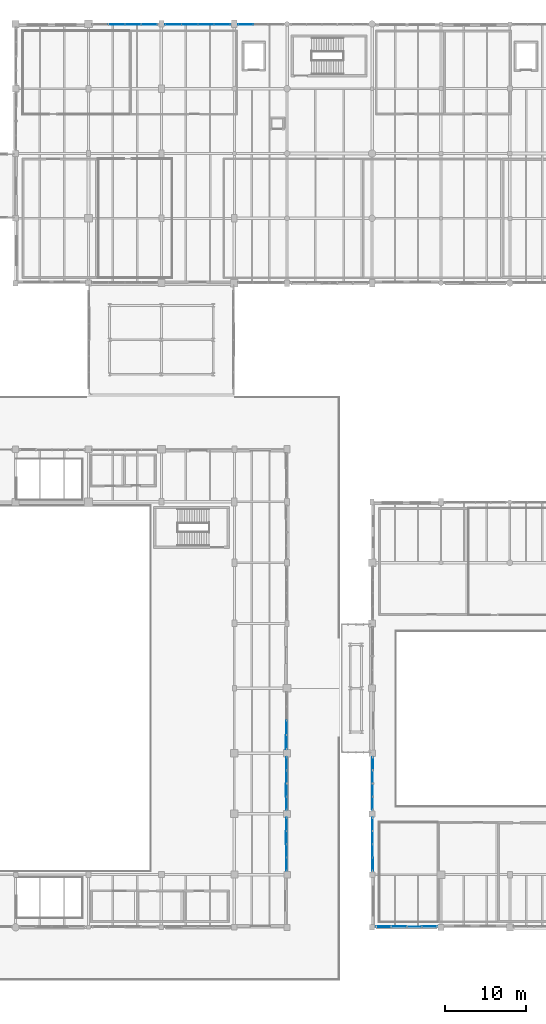
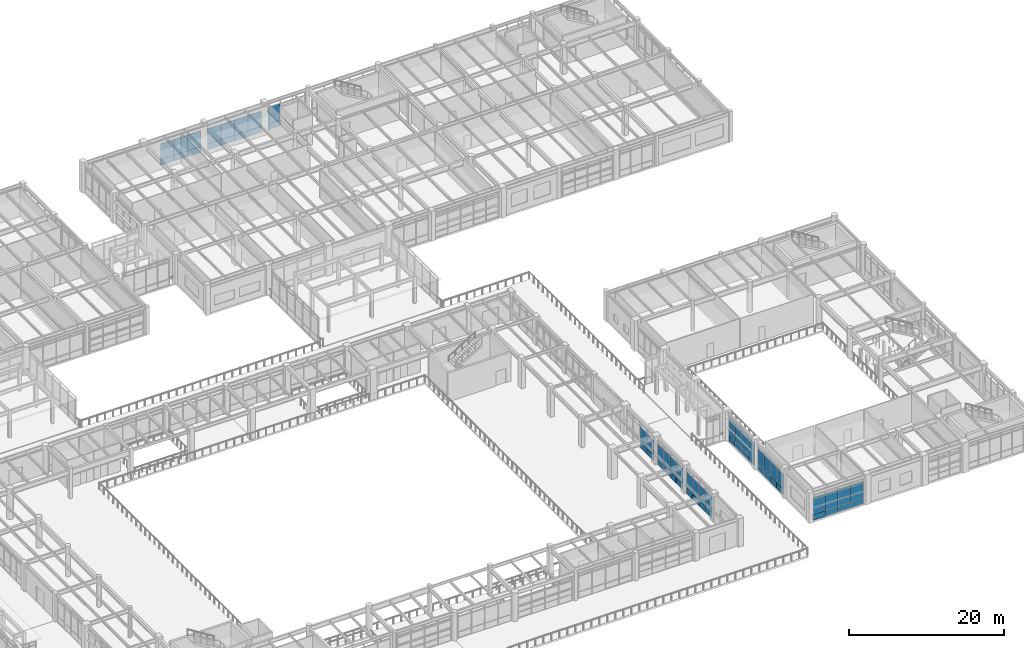
# One storey, part 163 of 200: 60 plates, 9 elements without a shape of their own.
"""IFC4 building model written with IfcOpenShell, lengths in metres."""

import ifcopenshell
import ifcopenshell.guid

model = None  # the IFC model being written
_history = None  # IfcOwnerHistory: only IFC2X3 demands one
_inside = {}  # id of a spatial element -> (the spatial element, [elements in it])
_under = {}  # id of a project, library or spatial element -> (it, [spatial elements below it])
_declared = {}  # id of a project -> (the project, [libraries it declares])
_typed = {}  # id of a type object -> (the type object, [elements of that type])
_made_of = {}  # id of a material, layer set ... -> (it, [elements and type objects made of it])


def new_model(schema):
    """Start an empty IFC model of exactly this schema.

    Asked for "IFC4X3", IfcOpenShell would pick the latest addendum, in which some entities
    have other attributes; the version numbers below select the first issue.
    IFC2X3 requires an IfcOwnerHistory on every rooted entity: one is made here for all.
    """
    global model, _history
    if schema == "IFC4X3":
        model = ifcopenshell.file(schema_version=(4, 3, 0, 0))
    else:
        model = ifcopenshell.file(schema=schema)
    _inside.clear()
    _under.clear()
    _declared.clear()
    _typed.clear()
    _made_of.clear()
    _history = None
    if model.schema == "IFC2X3":
        org = make("IfcOrganization", Name="unknown")
        user = make(
            "IfcPersonAndOrganization",
            ThePerson=make("IfcPerson", FamilyName="unknown"),
            TheOrganization=org,
        )
        app = make(
            "IfcApplication",
            ApplicationDeveloper=org,
            Version="unknown",
            ApplicationFullName="unknown",
            ApplicationIdentifier="unknown",
        )
        _history = make(
            "IfcOwnerHistory",
            OwningUser=user,
            OwningApplication=app,
            ChangeAction="ADDED",
            CreationDate=0,
        )
    return model


def make(cls, **values):
    """One entity of the class cls with the attributes given. An attribute that is None is left unset."""
    return model.create_entity(
        cls, **{name: value for name, value in values.items() if value is not None}
    )


def rooted(cls, **values):
    """An entity with a GlobalId (a new one), such as an element, a storey or a relation."""
    return make(cls, GlobalId=ifcopenshell.guid.new(), OwnerHistory=_history, **values)


def si_unit(unit_type, name, prefix=None):
    """IfcSIUnit, for example si_unit("LENGTHUNIT", "METRE", prefix="MILLI")."""
    return make("IfcSIUnit", UnitType=unit_type, Prefix=prefix, Name=name)


def assignment(units):
    """IfcUnitAssignment: the units of a project."""
    return None if units is None else make("IfcUnitAssignment", Units=units)


def point(xyz):
    """IfcCartesianPoint."""
    return None if xyz is None else make("IfcCartesianPoint", Coordinates=xyz)


def direction(xyz):
    """IfcDirection."""
    return None if xyz is None else make("IfcDirection", DirectionRatios=xyz)


def frame(location, z_axis=None, x_axis=None):
    """IfcAxis2Placement3D, a coordinate frame: its origin and axes. An axis left out is left unset."""
    return make(
        "IfcAxis2Placement3D",
        Location=point(location),
        Axis=direction(z_axis),
        RefDirection=direction(x_axis),
    )


def frame_2d(location, x_axis=None):
    """IfcAxis2Placement2D, a coordinate frame in the plane: its origin and x axis."""
    return make(
        "IfcAxis2Placement2D", Location=point(location), RefDirection=direction(x_axis)
    )


def origin():
    """The frame at (0, 0, 0) with its axes left unset."""
    return frame((0.0, 0.0, 0.0))


def origin_2d():
    """The frame at (0, 0) in the plane with its x axis left unset."""
    return frame_2d((0.0, 0.0))


def place(relative_to, where):
    """IfcLocalPlacement: puts the frame where relative to a parent placement (None: the world)."""
    return make(
        "IfcLocalPlacement", PlacementRelTo=relative_to, RelativePlacement=where
    )


def context(
    kind, dimensions, precision=None, world=None, true_north=None, identifier=None
):
    """IfcGeometricRepresentationContext, for example the 3D "Model" context."""
    return make(
        "IfcGeometricRepresentationContext",
        ContextIdentifier=identifier,
        ContextType=kind,
        CoordinateSpaceDimension=dimensions,
        Precision=precision,
        WorldCoordinateSystem=world,
        TrueNorth=true_north,
    )


def subcontext(parent, identifier, kind, view, scale=None):
    """IfcGeometricRepresentationSubContext, for example "Body" below "Model"."""
    return make(
        "IfcGeometricRepresentationSubContext",
        ContextIdentifier=identifier,
        ContextType=kind,
        ParentContext=parent,
        TargetScale=scale,
        TargetView=view,
    )


def project(units=None, contexts=None):
    """IfcProject with its units and contexts."""
    return rooted(
        "IfcProject",
        Name="project",
        RepresentationContexts=contexts,
        UnitsInContext=assignment(units),
    )


def spatial(cls, under=None, at=None, **own):
    """A site, building, storey or space (cls), placed at a placement, below another one or the project."""
    s = rooted(cls, ObjectPlacement=at, **own)
    if under is not None:
        _under.setdefault(under.id(), (under, []))[1].append(s)
    return s


def profile(cls, at=None, kind="AREA", **sizes):
    """A parametric profile (cls). Its sizes go by their IFC names, for example OverallWidth=200.0."""
    return make(cls, ProfileType=kind, Position=at, **sizes)


def rectangle(**sizes):
    """IfcRectangleProfileDef."""
    return profile("IfcRectangleProfileDef", **sizes)


def extrude(swept, where, along, depth):
    """IfcExtrudedAreaSolid: the profile swept, set in the frame where, extruded along a direction by depth."""
    return make(
        "IfcExtrudedAreaSolid",
        SweptArea=swept,
        Position=where,
        ExtrudedDirection=direction(along),
        Depth=depth,
    )


def shape(context_of_items, identifier, shape_type, items):
    """IfcShapeRepresentation: the items that make up one representation, for example the "Body"."""
    return make(
        "IfcShapeRepresentation",
        ContextOfItems=context_of_items,
        RepresentationIdentifier=identifier,
        RepresentationType=shape_type,
        Items=items,
    )


def material(Name=None, Category=None):
    """IfcMaterial."""
    return make("IfcMaterial", Name=Name, Category=Category)


def layer(
    of_material, thickness, ventilated=None, Name=None, Category=None, Priority=None
):
    """IfcMaterialLayer: one layer of a wall or slab, of a material (None: an air gap)."""
    return make(
        "IfcMaterialLayer",
        Material=of_material,
        LayerThickness=thickness,
        IsVentilated=ventilated,
        Name=Name,
        Category=Category,
        Priority=Priority,
    )


def layer_set(layers, Name=None):
    """IfcMaterialLayerSet."""
    return make("IfcMaterialLayerSet", MaterialLayers=layers, LayerSetName=Name)


def made_of(thing, what):
    """Note that an element or type object is made of a material, layer set ...; save() writes the relation."""
    if what is not None:
        _made_of.setdefault(what.id(), (what, []))[1].append(thing)
    return thing


def type_object(cls, material=None, **own):
    """A type object (cls), such as IfcWallType, which elements share."""
    return made_of(rooted(cls, **own), material)


def element(
    cls,
    number,
    at=None,
    inside=None,
    cuts=None,
    type_object=None,
    material=None,
    context=None,
    identifier="Body",
    shape_type=None,
    held_by="IfcProductDefinitionShape",
    body=None,
    shapes=None,
    **own,
):
    """One element of the class cls, such as IfcWall. Its Tag is "e" and its number.

    at: its placement. inside: the storey or other place that contains it. cuts: it is an
    opening in that element (IfcRelVoidsElement). A single representation is given by context,
    identifier, shape_type and body (its items); several are given by shapes. held_by: the class
    of the entity that holds the representations. save() writes the other relations.
    """
    e = rooted(cls, Tag="e%d" % number, ObjectPlacement=at, **own)
    if body is not None:
        shapes = [shape(context, identifier, shape_type, body)]
    if shapes is not None:
        e.Representation = make(held_by, Representations=shapes)
    if inside is not None:
        _inside.setdefault(inside.id(), (inside, []))[1].append(e)
    if cuts is not None:
        rooted(
            "IfcRelVoidsElement", RelatingBuildingElement=cuts, RelatedOpeningElement=e
        )
    if type_object is not None:
        _typed.setdefault(type_object.id(), (type_object, []))[1].append(e)
    return made_of(e, material)


def aggregate(whole, parts):
    """IfcRelAggregates: a whole, such as a stair, and the parts it consists of."""
    return rooted("IfcRelAggregates", RelatingObject=whole, RelatedObjects=parts)


def save(model, path):
    """Write the relations noted so far, then the file.

    IfcRelAggregates (storeys below a building ...), IfcRelContainedInSpatialStructure (elements
    in a storey), IfcRelDefinesByType, IfcRelAssociatesMaterial and IfcRelDeclares: one each for
    every whole, place, type object, material and project.
    """
    for whole, parts in _under.values():
        aggregate(whole, parts)
    for where, things in _inside.values():
        rooted(
            "IfcRelContainedInSpatialStructure",
            RelatedElements=things,
            RelatingStructure=where,
        )
    for kind, things in _typed.values():
        rooted("IfcRelDefinesByType", RelatedObjects=things, RelatingType=kind)
    for what, things in _made_of.values():
        rooted("IfcRelAssociatesMaterial", RelatedObjects=things, RelatingMaterial=what)
    for by, libraries in _declared.values():
        rooted("IfcRelDeclares", RelatingContext=by, RelatedDefinitions=libraries)
    model.write(path)


model = new_model("IFC4")

# Units and contexts
model_context = context("Model", 3, precision=1e-05, world=origin(), true_north=direction((0.0, 1.0)))
body_context = subcontext(model_context, "Body", "Model", "MODEL_VIEW")
ifc_project = project(units=[si_unit("LENGTHUNIT", "METRE"), si_unit("AREAUNIT", "SQUARE_METRE"), si_unit("VOLUMEUNIT", "CUBIC_METRE"), si_unit("PLANEANGLEUNIT", "RADIAN"), si_unit("MASSUNIT", "GRAM", prefix="KILO"), si_unit("THERMODYNAMICTEMPERATUREUNIT", "KELVIN"), si_unit("POWERUNIT", "WATT")], contexts=[model_context])

# Site, building, storey
site_placement = place(None, origin())
site = spatial("IfcSite", under=ifc_project, at=site_placement, CompositionType="ELEMENT")
building_placement = place(site_placement, origin())
building = spatial("IfcBuilding", under=site, at=building_placement, Name="Tepalcoro Natatorium and Aquatics Centre", CompositionType="ELEMENT")
storey_placement = place(building_placement, frame((0.0, 0.0, 5.39990234375)))
storey = spatial("IfcBuildingStorey", under=building, at=storey_placement, Name="L01", CompositionType="ELEMENT", Elevation=5.39990234375)

# Curtain wall, plate
ifc_material_1 = material(Name="Bronze-Anodised Extruded Aluminium Alloy EN AW-6063 T6", Category="aluminium")
curtain_wall_type_1 = type_object("IfcCurtainWallType", Name="CW_LEAN_T2_NS", PredefinedType="USERDEFINED", material=ifc_material_1)
curtain_wall_1_placement = place(storey_placement, origin())
curtain_wall_1 = element("IfcCurtainWall", 1, at=curtain_wall_1_placement, inside=storey, type_object=curtain_wall_type_1, Name="V1 L01 E Unitised Curtain Wall Bay 2", ObjectType="FACETED SOLAR GLAZING", PredefinedType="USERDEFINED")
ifc_material_2 = material(Name="Solar-Control Bronze Tempered Low-E Double Glazing", Category="glass")
ifc_layer_1 = layer(ifc_material_2, 0.048095703125)
ifc_layer_set_1 = layer_set([ifc_layer_1], Name="Solar-Control Bronze Tempered Low-E Double Glazing")
plate_type_1 = type_object("IfcPlateType", Name="PL_ACOUSTIC_IGU_48", PredefinedType="CURTAIN_PANEL", material=ifc_layer_set_1)
plate_1_placement = place(storey_placement, frame((131.423828125, 15.9326171875, 0.9599609375), z_axis=(0.0, 0.0, 1.0), x_axis=(1.0, 0.0, 0.0)))
plate_1 = element("IfcPlate", 2, at=plate_1_placement, type_object=plate_type_1, Name="CW_LEAN_T2_NS Insulated Glazing Unit", PredefinedType="CURTAIN_PANEL", context=body_context, shape_type="SweptSolid", body=[
    extrude(rectangle(XDim=0.048095703125, YDim=1.614990234375, at=origin_2d()), origin(), (0.0, 0.0, 1.0), 2.469970703125),
])

# Curtain wall, plates
curtain_wall_type_2 = type_object("IfcCurtainWallType", Name="CW_LEAN_T2_EW", PredefinedType="USERDEFINED", material=ifc_material_1)
curtain_wall_2_placement = place(storey_placement, origin())
curtain_wall_2 = element("IfcCurtainWall", 3, at=curtain_wall_2_placement, inside=storey, type_object=curtain_wall_type_2, Name="V1 L01 E Unitised Curtain Wall Bay 3", ObjectType="FACETED SOLAR GLAZING", PredefinedType="USERDEFINED")
plate_2_placement = place(storey_placement, frame((131.419921875, 21.797607421875, 0.9599609375), z_axis=(0.0, 0.0, 1.0), x_axis=(1.0, 0.0, 0.0)))
plate_2 = element("IfcPlate", 4, at=plate_2_placement, type_object=plate_type_1, Name="CW_LEAN_T2_EW Insulated Glazing Unit", PredefinedType="CURTAIN_PANEL", context=body_context, shape_type="SweptSolid", body=[
    extrude(rectangle(XDim=0.048095703125, YDim=1.614990234375, at=origin_2d()), origin(), (0.0, 0.0, 1.0), 2.39404296875),
])
plate_3_placement = place(storey_placement, frame((131.419921875, 26.702392578125, 0.9599609375), z_axis=(0.0, 0.0, 1.0), x_axis=(1.0, 0.0, 0.0)))
plate_3 = element("IfcPlate", 5, at=plate_3_placement, type_object=plate_type_1, Name="CW_LEAN_T2_EW Insulated Glazing Unit", PredefinedType="CURTAIN_PANEL", context=body_context, shape_type="SweptSolid", body=[
    extrude(rectangle(XDim=0.048095703125, YDim=1.614990234375, at=origin_2d()), origin(), (0.0, 0.0, 1.0), 2.39404296875),
])

curtain_wall_type_3 = type_object("IfcCurtainWallType", Name="CW_V2_DIVING", PredefinedType="USERDEFINED", material=ifc_material_1)
curtain_wall_3_placement = place(storey_placement, origin())
curtain_wall_3 = element("IfcCurtainWall", 6, at=curtain_wall_3_placement, inside=storey, type_object=curtain_wall_type_3, Name="V2 L01 S Unitised Curtain Wall Bay 1", ObjectType="FACETED SOLAR GLAZING", PredefinedType="USERDEFINED")
plate_4_placement = place(storey_placement, frame((143.422607421875, 6.576171875, 0.9599609375), z_axis=(0.0, 0.0, 1.0), x_axis=(1.0, 0.0, 0.0)))
plate_4 = element("IfcPlate", 7, at=plate_4_placement, type_object=plate_type_1, Name="CW_V2_DIVING Insulated Glazing Unit", PredefinedType="CURTAIN_PANEL", context=body_context, shape_type="SweptSolid", body=[
    extrude(rectangle(XDim=1.864990234375, YDim=0.048095703125, at=origin_2d()), origin(), (0.0, 0.0, 1.0), 2.550048828125),
])
plate_5_placement = place(storey_placement, frame((149.077392578125, 6.576171875, 0.9599609375), z_axis=(0.0, 0.0, 1.0), x_axis=(1.0, 0.0, 0.0)))
plate_5 = element("IfcPlate", 8, at=plate_5_placement, type_object=plate_type_1, Name="CW_V2_DIVING Insulated Glazing Unit", PredefinedType="CURTAIN_PANEL", context=body_context, shape_type="SweptSolid", body=[
    extrude(rectangle(XDim=1.864990234375, YDim=0.048095703125, at=origin_2d()), origin(), (0.0, 0.0, 1.0), 2.550048828125),
])

# Curtain wall, plate
curtain_wall_type_4 = type_object("IfcCurtainWallType", Name="CW_LEAN_T1_NS", PredefinedType="USERDEFINED", material=ifc_material_1)
curtain_wall_4_placement = place(storey_placement, origin())
curtain_wall_4 = element("IfcCurtainWall", 9, at=curtain_wall_4_placement, inside=storey, type_object=curtain_wall_type_4, Name="V2 L01 W Unitised Curtain Wall Bay 2", ObjectType="FACETED SOLAR GLAZING", PredefinedType="USERDEFINED")
plate_6_placement = place(storey_placement, frame((142.06494140625, 15.9326171875, 0.960205078125), z_axis=(0.0, 0.0, 1.0), x_axis=(1.0, 0.0, 0.0)))
plate_6 = element("IfcPlate", 10, at=plate_6_placement, type_object=plate_type_1, Name="CW_LEAN_T1_NS Insulated Glazing Unit", PredefinedType="CURTAIN_PANEL", context=body_context, shape_type="SweptSolid", body=[
    extrude(rectangle(XDim=0.048095703125, YDim=1.614990234375, at=origin_2d()), origin(), (0.0, 0.0, 1.0), 2.39794921875),
])

# Curtain wall, plates
curtain_wall_type_5 = type_object("IfcCurtainWallType", Name="CW_LEAN_T1_EW", PredefinedType="USERDEFINED", material=ifc_material_1)
curtain_wall_5_placement = place(storey_placement, origin())
curtain_wall_5 = element("IfcCurtainWall", 11, at=curtain_wall_5_placement, inside=storey, type_object=curtain_wall_type_5, Name="V2 L01 W Unitised Curtain Wall Bay 3", ObjectType="FACETED SOLAR GLAZING", PredefinedType="USERDEFINED")
plate_7_placement = place(storey_placement, frame((142.0712890625, 21.797607421875, 0.9599609375), z_axis=(0.0, 0.0, 1.0), x_axis=(1.0, 0.0, 0.0)))
plate_7 = element("IfcPlate", 12, at=plate_7_placement, type_object=plate_type_1, Name="CW_LEAN_T1_EW Insulated Glazing Unit", PredefinedType="CURTAIN_PANEL", context=body_context, shape_type="SweptSolid", body=[
    extrude(rectangle(XDim=0.048095703125, YDim=1.614990234375, at=origin_2d()), origin(), (0.0, 0.0, 1.0), 2.596923828125),
])
plate_8_placement = place(storey_placement, frame((142.0712890625, 26.702392578125, 0.9599609375), z_axis=(0.0, 0.0, 1.0), x_axis=(1.0, 0.0, 0.0)))
plate_8 = element("IfcPlate", 13, at=plate_8_placement, type_object=plate_type_1, Name="CW_LEAN_T1_EW Insulated Glazing Unit", PredefinedType="CURTAIN_PANEL", context=body_context, shape_type="SweptSolid", body=[
    extrude(rectangle(XDim=0.048095703125, YDim=1.614990234375, at=origin_2d()), origin(), (0.0, 0.0, 1.0), 2.596923828125),
])

# Curtain wall, plate
curtain_wall_6_placement = place(storey_placement, origin())
curtain_wall_6 = element("IfcCurtainWall", 14, at=curtain_wall_6_placement, inside=storey, type_object=curtain_wall_type_5, Name="V5 L01 N Unitised Curtain Wall Bay 2", ObjectType="FACETED SOLAR GLAZING", PredefinedType="USERDEFINED")
plate_9_placement = place(storey_placement, frame((114.514892578125, 117.9287109375, 0.9599609375), z_axis=(0.0, 0.0, 1.0), x_axis=(1.0, 0.0, 0.0)))
plate_9 = element("IfcPlate", 15, at=plate_9_placement, type_object=plate_type_1, Name="CW_LEAN_T1_EW Insulated Glazing Unit", PredefinedType="CURTAIN_PANEL", context=body_context, shape_type="SweptSolid", body=[
    extrude(rectangle(XDim=1.989990234375, YDim=0.048095703125, at=origin_2d()), origin(), (0.0, 0.0, 1.0), 2.47412109375),
])

curtain_wall_7_placement = place(storey_placement, origin())
curtain_wall_7 = element("IfcCurtainWall", 16, at=curtain_wall_7_placement, inside=storey, type_object=curtain_wall_type_1, Name="V5 L01 N Unitised Curtain Wall Bay 3", ObjectType="FACETED SOLAR GLAZING", PredefinedType="USERDEFINED")
plate_10_placement = place(storey_placement, frame((121.5048828125, 117.923828125, 0.960205078125), z_axis=(0.0, 0.0, 1.0), x_axis=(1.0, 0.0, 0.0)))
plate_10 = element("IfcPlate", 17, at=plate_10_placement, type_object=plate_type_1, Name="CW_LEAN_T2_NS Insulated Glazing Unit", PredefinedType="CURTAIN_PANEL", context=body_context, shape_type="SweptSolid", body=[
    extrude(rectangle(XDim=1.989990234375, YDim=0.048095703125, at=origin_2d()), origin(), (0.0, 0.0, 1.0), 2.39794921875),
])

# Plate
ifc_layer_2 = layer(ifc_material_2, 0.028076171875)
ifc_layer_set_2 = layer_set([ifc_layer_2], Name="Solar-Control Bronze Tempered Low-E Double Glazing")
plate_type_2 = type_object("IfcPlateType", Name="PL_BRONZE_IGU_28", PredefinedType="CURTAIN_PANEL", material=ifc_layer_set_2)
plate_11_placement = place(storey_placement, frame((131.423828125, 14.297607421875, 0.9599609375), z_axis=(0.0, 0.0, 1.0), x_axis=(1.0, 0.0, 0.0)))
plate_11 = element("IfcPlate", 18, at=plate_11_placement, type_object=plate_type_2, Name="CW_LEAN_T2_NS Insulated Glazing Unit", PredefinedType="CURTAIN_PANEL", context=body_context, shape_type="SweptSolid", body=[
    extrude(rectangle(XDim=0.028076171875, YDim=1.614990234375, at=origin_2d()), origin(), (0.0, 0.0, 1.0), 2.469970703125),
])

plate_12_placement = place(storey_placement, frame((131.423828125, 19.202392578125, 0.9599609375), z_axis=(0.0, 0.0, 1.0), x_axis=(1.0, 0.0, 0.0)))
plate_12 = element("IfcPlate", 19, at=plate_12_placement, type_object=plate_type_2, Name="CW_LEAN_T2_NS Insulated Glazing Unit", PredefinedType="CURTAIN_PANEL", context=body_context, shape_type="SweptSolid", body=[
    extrude(rectangle(XDim=0.028076171875, YDim=1.614990234375, at=origin_2d()), origin(), (0.0, 0.0, 1.0), 2.469970703125),
])

plate_13_placement = place(storey_placement, frame((131.419921875, 25.0673828125, 0.9599609375), z_axis=(0.0, 0.0, 1.0), x_axis=(1.0, 0.0, 0.0)))
plate_13 = element("IfcPlate", 20, at=plate_13_placement, type_object=plate_type_2, Name="CW_LEAN_T2_EW Insulated Glazing Unit", PredefinedType="CURTAIN_PANEL", context=body_context, shape_type="SweptSolid", body=[
    extrude(rectangle(XDim=0.028076171875, YDim=1.614990234375, at=origin_2d()), origin(), (0.0, 0.0, 1.0), 2.39404296875),
])

# Curtain wall, plate
curtain_wall_type_6 = type_object("IfcCurtainWallType", Name="CW_V1_PLINTH", PredefinedType="USERDEFINED", material=ifc_material_1)
curtain_wall_8_placement = place(storey_placement, origin())
curtain_wall_8 = element("IfcCurtainWall", 21, at=curtain_wall_8_placement, inside=storey, type_object=curtain_wall_type_6, Name="V1 L01 E Unitised Curtain Wall Bay 4", ObjectType="UNITISED STOREFRONT", PredefinedType="USERDEFINED")
plate_14_placement = place(storey_placement, frame((131.409912109375, 31.1201171875, 0.9599609375), z_axis=(0.0, 0.0, 1.0), x_axis=(1.0, 0.0, 0.0)))
plate_14 = element("IfcPlate", 22, at=plate_14_placement, type_object=plate_type_2, Name="CW_V1_PLINTH Insulated Glazing Unit", PredefinedType="CURTAIN_PANEL", context=body_context, shape_type="SweptSolid", body=[
    extrude(rectangle(XDim=0.028076171875, YDim=1.739990234375, at=origin_2d()), origin(), (0.0, 0.0, 1.0), 2.318115234375),
])

# Plate
plate_15_placement = place(storey_placement, frame((147.1923828125, 6.576171875, 0.9599609375), z_axis=(0.0, 0.0, 1.0), x_axis=(1.0, 0.0, 0.0)))
plate_15 = element("IfcPlate", 23, at=plate_15_placement, type_object=plate_type_2, Name="CW_V2_DIVING Insulated Glazing Unit", PredefinedType="CURTAIN_PANEL", context=body_context, shape_type="SweptSolid", body=[
    extrude(rectangle(XDim=1.864990234375, YDim=0.028076171875, at=origin_2d()), origin(), (0.0, 0.0, 1.0), 2.550048828125),
])

plate_16_placement = place(storey_placement, frame((142.06494140625, 14.297607421875, 0.960205078125), z_axis=(0.0, 0.0, 1.0), x_axis=(1.0, 0.0, 0.0)))
plate_16 = element("IfcPlate", 24, at=plate_16_placement, type_object=plate_type_2, Name="CW_LEAN_T1_NS Insulated Glazing Unit", PredefinedType="CURTAIN_PANEL", context=body_context, shape_type="SweptSolid", body=[
    extrude(rectangle(XDim=0.028076171875, YDim=1.614990234375, at=origin_2d()), origin(), (0.0, 0.0, 1.0), 2.39794921875),
])

plate_17_placement = place(storey_placement, frame((142.06494140625, 19.202392578125, 0.960205078125), z_axis=(0.0, 0.0, 1.0), x_axis=(1.0, 0.0, 0.0)))
plate_17 = element("IfcPlate", 25, at=plate_17_placement, type_object=plate_type_2, Name="CW_LEAN_T1_NS Insulated Glazing Unit", PredefinedType="CURTAIN_PANEL", context=body_context, shape_type="SweptSolid", body=[
    extrude(rectangle(XDim=0.028076171875, YDim=1.614990234375, at=origin_2d()), origin(), (0.0, 0.0, 1.0), 2.39794921875),
])

plate_18_placement = place(storey_placement, frame((142.0712890625, 25.0673828125, 0.9599609375), z_axis=(0.0, 0.0, 1.0), x_axis=(1.0, 0.0, 0.0)))
plate_18 = element("IfcPlate", 26, at=plate_18_placement, type_object=plate_type_2, Name="CW_LEAN_T1_EW Insulated Glazing Unit", PredefinedType="CURTAIN_PANEL", context=body_context, shape_type="SweptSolid", body=[
    extrude(rectangle(XDim=0.028076171875, YDim=1.614990234375, at=origin_2d()), origin(), (0.0, 0.0, 1.0), 2.596923828125),
])

plate_19_placement = place(storey_placement, frame((112.5048828125, 117.9287109375, 0.9599609375), z_axis=(0.0, 0.0, 1.0), x_axis=(1.0, 0.0, 0.0)))
plate_19 = element("IfcPlate", 27, at=plate_19_placement, type_object=plate_type_2, Name="CW_LEAN_T1_EW Insulated Glazing Unit", PredefinedType="CURTAIN_PANEL", context=body_context, shape_type="SweptSolid", body=[
    extrude(rectangle(XDim=1.989990234375, YDim=0.028076171875, at=origin_2d()), origin(), (0.0, 0.0, 1.0), 2.47412109375),
])

plate_20_placement = place(storey_placement, frame((119.4951171875, 117.923828125, 0.960205078125), z_axis=(0.0, 0.0, 1.0), x_axis=(1.0, 0.0, 0.0)))
plate_20 = element("IfcPlate", 28, at=plate_20_placement, type_object=plate_type_2, Name="CW_LEAN_T2_NS Insulated Glazing Unit", PredefinedType="CURTAIN_PANEL", context=body_context, shape_type="SweptSolid", body=[
    extrude(rectangle(XDim=1.989990234375, YDim=0.028076171875, at=origin_2d()), origin(), (0.0, 0.0, 1.0), 2.39794921875),
])

# Curtain wall, plate
curtain_wall_9_placement = place(storey_placement, origin())
curtain_wall_9 = element("IfcCurtainWall", 29, at=curtain_wall_9_placement, inside=storey, type_object=curtain_wall_type_2, Name="V5 L01 N Unitised Curtain Wall Bay 4", ObjectType="FACETED SOLAR GLAZING", PredefinedType="USERDEFINED")
plate_21_placement = place(storey_placement, frame((126.4033203125, 117.919921875, 0.9599609375), z_axis=(0.0, 0.0, 1.0), x_axis=(1.0, 0.0, 0.0)))
plate_21 = element("IfcPlate", 30, at=plate_21_placement, type_object=plate_type_2, Name="CW_LEAN_T2_EW Insulated Glazing Unit", PredefinedType="CURTAIN_PANEL", context=body_context, shape_type="SweptSolid", body=[
    extrude(rectangle(XDim=1.82666015625, YDim=0.028076171875, at=origin_2d()), origin(), (0.0, 0.0, 1.0), 2.596923828125),
])

# Plate
ifc_material_3 = material(Name="Jalisco Cantera Rosa Volcanic Tuff Ashlar Masonry", Category="masonry")
ifc_layer_3 = layer(ifc_material_3, 0.090087890625)
ifc_layer_set_3 = layer_set([ifc_layer_3], Name="Jalisco Cantera Rosa Volcanic Tuff Ashlar Masonry")
plate_type_3 = type_object("IfcPlateType", Name="PL_CANTERA_90", PredefinedType="SHEET", material=ifc_layer_set_3)
plate_22_placement = place(storey_placement, frame((131.423828125, 15.9326171875, 0.044921875), z_axis=(0.0, 0.0, 1.0), x_axis=(1.0, 0.0, 0.0)))
plate_22 = element("IfcPlate", 31, at=plate_22_placement, type_object=plate_type_3, Name="CW_LEAN_T2_NS Spandrel & Screen Panel", PredefinedType="SHEET", context=body_context, shape_type="SweptSolid", body=[
    extrude(rectangle(XDim=0.090087890625, YDim=1.614990234375, at=origin_2d()), origin(), (0.0, 0.0, 1.0), 0.909912109375),
])

plate_23_placement = place(storey_placement, frame((131.419921875, 21.797607421875, 0.044921875), z_axis=(0.0, 0.0, 1.0), x_axis=(1.0, 0.0, 0.0)))
plate_23 = element("IfcPlate", 32, at=plate_23_placement, type_object=plate_type_3, Name="CW_LEAN_T2_EW Spandrel & Screen Panel", PredefinedType="SHEET", context=body_context, shape_type="SweptSolid", body=[
    extrude(rectangle(XDim=0.090087890625, YDim=1.614990234375, at=origin_2d()), origin(), (0.0, 0.0, 1.0), 0.909912109375),
])

plate_24_placement = place(storey_placement, frame((142.0712890625, 26.702392578125, 0.044921875), z_axis=(0.0, 0.0, 1.0), x_axis=(1.0, 0.0, 0.0)))
plate_24 = element("IfcPlate", 33, at=plate_24_placement, type_object=plate_type_3, Name="CW_LEAN_T1_EW Spandrel & Screen Panel", PredefinedType="SHEET", context=body_context, shape_type="SweptSolid", body=[
    extrude(rectangle(XDim=0.090087890625, YDim=1.614990234375, at=origin_2d()), origin(), (0.0, 0.0, 1.0), 0.909912109375),
])

plate_25_placement = place(storey_placement, frame((114.514892578125, 117.9287109375, 0.044921875), z_axis=(0.0, 0.0, 1.0), x_axis=(1.0, 0.0, 0.0)))
plate_25 = element("IfcPlate", 34, at=plate_25_placement, type_object=plate_type_3, Name="CW_LEAN_T1_EW Spandrel & Screen Panel", PredefinedType="SHEET", context=body_context, shape_type="SweptSolid", body=[
    extrude(rectangle(XDim=1.989990234375, YDim=0.090087890625, at=origin_2d()), origin(), (0.0, 0.0, 1.0), 0.909912109375),
])

plate_26_placement = place(storey_placement, frame((121.5048828125, 117.923828125, 0.044921875), z_axis=(0.0, 0.0, 1.0), x_axis=(1.0, 0.0, 0.0)))
plate_26 = element("IfcPlate", 35, at=plate_26_placement, type_object=plate_type_3, Name="CW_LEAN_T2_NS Spandrel & Screen Panel", PredefinedType="SHEET", context=body_context, shape_type="SweptSolid", body=[
    extrude(rectangle(XDim=1.989990234375, YDim=0.090087890625, at=origin_2d()), origin(), (0.0, 0.0, 1.0), 0.909912109375),
])

ifc_material_4 = material(Name="Clear Tempered Low-E Safety Glazing", Category="glass")
ifc_layer_4 = layer(ifc_material_4, 0.011962890625)
ifc_layer_set_4 = layer_set([ifc_layer_4], Name="Clear Tempered Low-E Safety Glazing")
plate_type_4 = type_object("IfcPlateType", Name="PL_GLASS_12", PredefinedType="CURTAIN_PANEL", material=ifc_layer_set_4)
plate_27_placement = place(storey_placement, frame((131.423828125, 17.5673828125, 0.9599609375), z_axis=(0.0, 0.0, 1.0), x_axis=(1.0, 0.0, 0.0)))
plate_27 = element("IfcPlate", 36, at=plate_27_placement, type_object=plate_type_4, Name="CW_LEAN_T2_NS Insulated Glazing Unit", PredefinedType="CURTAIN_PANEL", context=body_context, shape_type="SweptSolid", body=[
    extrude(rectangle(XDim=0.011962890625, YDim=1.614990234375, at=origin_2d()), origin(), (0.0, 0.0, 1.0), 2.469970703125),
])

plate_28_placement = place(storey_placement, frame((131.419921875, 23.4326171875, 0.9599609375), z_axis=(0.0, 0.0, 1.0), x_axis=(1.0, 0.0, 0.0)))
plate_28 = element("IfcPlate", 37, at=plate_28_placement, type_object=plate_type_4, Name="CW_LEAN_T2_EW Insulated Glazing Unit", PredefinedType="CURTAIN_PANEL", context=body_context, shape_type="SweptSolid", body=[
    extrude(rectangle(XDim=0.011962890625, YDim=1.614990234375, at=origin_2d()), origin(), (0.0, 0.0, 1.0), 2.39404296875),
])

plate_29_placement = place(storey_placement, frame((131.409912109375, 29.360107421875, 0.9599609375), z_axis=(0.0, 0.0, 1.0), x_axis=(1.0, 0.0, 0.0)))
plate_29 = element("IfcPlate", 38, at=plate_29_placement, type_object=plate_type_4, Name="CW_V1_PLINTH Insulated Glazing Unit", PredefinedType="CURTAIN_PANEL", context=body_context, shape_type="SweptSolid", body=[
    extrude(rectangle(XDim=0.011962890625, YDim=1.739990234375, at=origin_2d()), origin(), (0.0, 0.0, 1.0), 2.318115234375),
])

plate_30_placement = place(storey_placement, frame((145.3076171875, 6.576171875, 0.9599609375), z_axis=(0.0, 0.0, 1.0), x_axis=(1.0, 0.0, 0.0)))
plate_30 = element("IfcPlate", 39, at=plate_30_placement, type_object=plate_type_4, Name="CW_V2_DIVING Insulated Glazing Unit", PredefinedType="CURTAIN_PANEL", context=body_context, shape_type="SweptSolid", body=[
    extrude(rectangle(XDim=1.864990234375, YDim=0.011962890625, at=origin_2d()), origin(), (0.0, 0.0, 1.0), 2.550048828125),
])

plate_31_placement = place(storey_placement, frame((142.06494140625, 17.5673828125, 0.960205078125), z_axis=(0.0, 0.0, 1.0), x_axis=(1.0, 0.0, 0.0)))
plate_31 = element("IfcPlate", 40, at=plate_31_placement, type_object=plate_type_4, Name="CW_LEAN_T1_NS Insulated Glazing Unit", PredefinedType="CURTAIN_PANEL", context=body_context, shape_type="SweptSolid", body=[
    extrude(rectangle(XDim=0.011962890625, YDim=1.614990234375, at=origin_2d()), origin(), (0.0, 0.0, 1.0), 2.39794921875),
])

plate_32_placement = place(storey_placement, frame((142.0712890625, 23.4326171875, 0.9599609375), z_axis=(0.0, 0.0, 1.0), x_axis=(1.0, 0.0, 0.0)))
plate_32 = element("IfcPlate", 41, at=plate_32_placement, type_object=plate_type_4, Name="CW_LEAN_T1_EW Insulated Glazing Unit", PredefinedType="CURTAIN_PANEL", context=body_context, shape_type="SweptSolid", body=[
    extrude(rectangle(XDim=0.011962890625, YDim=1.614990234375, at=origin_2d()), origin(), (0.0, 0.0, 1.0), 2.596923828125),
])

plate_33_placement = place(storey_placement, frame((110.4951171875, 117.9287109375, 0.9599609375), z_axis=(0.0, 0.0, 1.0), x_axis=(1.0, 0.0, 0.0)))
plate_33 = element("IfcPlate", 42, at=plate_33_placement, type_object=plate_type_4, Name="CW_LEAN_T1_EW Insulated Glazing Unit", PredefinedType="CURTAIN_PANEL", context=body_context, shape_type="SweptSolid", body=[
    extrude(rectangle(XDim=1.989990234375, YDim=0.011962890625, at=origin_2d()), origin(), (0.0, 0.0, 1.0), 2.47412109375),
])

plate_34_placement = place(storey_placement, frame((117.485107421875, 117.923828125, 0.960205078125), z_axis=(0.0, 0.0, 1.0), x_axis=(1.0, 0.0, 0.0)))
plate_34 = element("IfcPlate", 43, at=plate_34_placement, type_object=plate_type_4, Name="CW_LEAN_T2_NS Insulated Glazing Unit", PredefinedType="CURTAIN_PANEL", context=body_context, shape_type="SweptSolid", body=[
    extrude(rectangle(XDim=1.989990234375, YDim=0.011962890625, at=origin_2d()), origin(), (0.0, 0.0, 1.0), 2.39794921875),
])

plate_35_placement = place(storey_placement, frame((123.514892578125, 117.923828125, 0.960205078125), z_axis=(0.0, 0.0, 1.0), x_axis=(1.0, 0.0, 0.0)))
plate_35 = element("IfcPlate", 44, at=plate_35_placement, type_object=plate_type_4, Name="CW_LEAN_T2_NS Insulated Glazing Unit", PredefinedType="CURTAIN_PANEL", context=body_context, shape_type="SweptSolid", body=[
    extrude(rectangle(XDim=1.989990234375, YDim=0.011962890625, at=origin_2d()), origin(), (0.0, 0.0, 1.0), 2.39794921875),
])

ifc_material_5 = material(Name="Volcanic Recinto Basalt Ashlar Masonry", Category="masonry")
ifc_layer_5 = layer(ifc_material_5, 0.110107421875)
ifc_layer_set_5 = layer_set([ifc_layer_5], Name="Volcanic Recinto Basalt Ashlar Masonry")
plate_type_5 = type_object("IfcPlateType", Name="PL_RECINTO_110", PredefinedType="SHEET", material=ifc_layer_set_5)
plate_36_placement = place(storey_placement, frame((131.423828125, 17.5673828125, 0.044921875), z_axis=(0.0, 0.0, 1.0), x_axis=(1.0, 0.0, 0.0)))
plate_36 = element("IfcPlate", 45, at=plate_36_placement, type_object=plate_type_5, Name="CW_LEAN_T2_NS Spandrel & Screen Panel", PredefinedType="SHEET", context=body_context, shape_type="SweptSolid", body=[
    extrude(rectangle(XDim=0.110107421875, YDim=1.614990234375, at=origin_2d()), origin(), (0.0, 0.0, 1.0), 0.909912109375),
])

plate_37_placement = place(storey_placement, frame((131.419921875, 23.4326171875, 0.044921875), z_axis=(0.0, 0.0, 1.0), x_axis=(1.0, 0.0, 0.0)))
plate_37 = element("IfcPlate", 46, at=plate_37_placement, type_object=plate_type_5, Name="CW_LEAN_T2_EW Spandrel & Screen Panel", PredefinedType="SHEET", context=body_context, shape_type="SweptSolid", body=[
    extrude(rectangle(XDim=0.110107421875, YDim=1.614990234375, at=origin_2d()), origin(), (0.0, 0.0, 1.0), 0.909912109375),
])

plate_38_placement = place(storey_placement, frame((131.409912109375, 29.360107421875, 0.044921875), z_axis=(0.0, 0.0, 1.0), x_axis=(1.0, 0.0, 0.0)))
plate_38 = element("IfcPlate", 47, at=plate_38_placement, type_object=plate_type_5, Name="CW_V1_PLINTH Spandrel & Screen Panel", PredefinedType="SHEET", context=body_context, shape_type="SweptSolid", body=[
    extrude(rectangle(XDim=0.110107421875, YDim=1.739990234375, at=origin_2d()), origin(), (0.0, 0.0, 1.0), 0.909912109375),
])

plate_39_placement = place(storey_placement, frame((143.422607421875, 6.576171875, 0.044921875), z_axis=(0.0, 0.0, 1.0), x_axis=(1.0, 0.0, 0.0)))
plate_39 = element("IfcPlate", 48, at=plate_39_placement, type_object=plate_type_5, Name="CW_V2_DIVING Spandrel & Screen Panel", PredefinedType="SHEET", context=body_context, shape_type="SweptSolid", body=[
    extrude(rectangle(XDim=1.864990234375, YDim=0.110107421875, at=origin_2d()), origin(), (0.0, 0.0, 1.0), 0.909912109375),
])

plate_40_placement = place(storey_placement, frame((142.06494140625, 14.297607421875, 0.044921875), z_axis=(0.0, 0.0, 1.0), x_axis=(1.0, 0.0, 0.0)))
plate_40 = element("IfcPlate", 49, at=plate_40_placement, type_object=plate_type_5, Name="CW_LEAN_T1_NS Spandrel & Screen Panel", PredefinedType="SHEET", context=body_context, shape_type="SweptSolid", body=[
    extrude(rectangle(XDim=0.110107421875, YDim=1.614990234375, at=origin_2d()), origin(), (0.0, 0.0, 1.0), 0.909912109375),
])

plate_41_placement = place(storey_placement, frame((123.514892578125, 117.923828125, 0.044921875), z_axis=(0.0, 0.0, 1.0), x_axis=(1.0, 0.0, 0.0)))
plate_41 = element("IfcPlate", 50, at=plate_41_placement, type_object=plate_type_5, Name="CW_LEAN_T2_NS Spandrel & Screen Panel", PredefinedType="SHEET", context=body_context, shape_type="SweptSolid", body=[
    extrude(rectangle(XDim=1.989990234375, YDim=0.110107421875, at=origin_2d()), origin(), (0.0, 0.0, 1.0), 0.909912109375),
])

ifc_layer_6 = layer(ifc_material_1, 0.050048828125)
ifc_layer_set_6 = layer_set([ifc_layer_6], Name="Bronze-Anodised Extruded Aluminium Alloy EN AW-6063 T6")
plate_type_6 = type_object("IfcPlateType", Name="PL_SCREEN_50", PredefinedType="SHEET", material=ifc_layer_set_6)
plate_42_placement = place(storey_placement, frame((131.419921875, 26.702392578125, 0.044921875), z_axis=(0.0, 0.0, 1.0), x_axis=(1.0, 0.0, 0.0)))
plate_42 = element("IfcPlate", 51, at=plate_42_placement, type_object=plate_type_6, Name="CW_LEAN_T2_EW Spandrel & Screen Panel", PredefinedType="SHEET", context=body_context, shape_type="SweptSolid", body=[
    extrude(rectangle(XDim=0.050048828125, YDim=1.614990234375, at=origin_2d()), origin(), (0.0, 0.0, 1.0), 0.909912109375),
])

plate_43_placement = place(storey_placement, frame((147.1923828125, 6.576171875, 0.044921875), z_axis=(0.0, 0.0, 1.0), x_axis=(1.0, 0.0, 0.0)))
plate_43 = element("IfcPlate", 52, at=plate_43_placement, type_object=plate_type_6, Name="CW_V2_DIVING Spandrel & Screen Panel", PredefinedType="SHEET", context=body_context, shape_type="SweptSolid", body=[
    extrude(rectangle(XDim=1.864990234375, YDim=0.050048828125, at=origin_2d()), origin(), (0.0, 0.0, 1.0), 0.909912109375),
])

plate_44_placement = place(storey_placement, frame((142.06494140625, 17.5673828125, 0.044921875), z_axis=(0.0, 0.0, 1.0), x_axis=(1.0, 0.0, 0.0)))
plate_44 = element("IfcPlate", 53, at=plate_44_placement, type_object=plate_type_6, Name="CW_LEAN_T1_NS Spandrel & Screen Panel", PredefinedType="SHEET", context=body_context, shape_type="SweptSolid", body=[
    extrude(rectangle(XDim=0.050048828125, YDim=1.614990234375, at=origin_2d()), origin(), (0.0, 0.0, 1.0), 0.909912109375),
])

plate_45_placement = place(storey_placement, frame((142.0712890625, 23.4326171875, 0.044921875), z_axis=(0.0, 0.0, 1.0), x_axis=(1.0, 0.0, 0.0)))
plate_45 = element("IfcPlate", 54, at=plate_45_placement, type_object=plate_type_6, Name="CW_LEAN_T1_EW Spandrel & Screen Panel", PredefinedType="SHEET", context=body_context, shape_type="SweptSolid", body=[
    extrude(rectangle(XDim=0.050048828125, YDim=1.614990234375, at=origin_2d()), origin(), (0.0, 0.0, 1.0), 0.909912109375),
])

plate_46_placement = place(storey_placement, frame((110.4951171875, 117.9287109375, 0.044921875), z_axis=(0.0, 0.0, 1.0), x_axis=(1.0, 0.0, 0.0)))
plate_46 = element("IfcPlate", 55, at=plate_46_placement, type_object=plate_type_6, Name="CW_LEAN_T1_EW Spandrel & Screen Panel", PredefinedType="SHEET", context=body_context, shape_type="SweptSolid", body=[
    extrude(rectangle(XDim=1.989990234375, YDim=0.050048828125, at=origin_2d()), origin(), (0.0, 0.0, 1.0), 0.909912109375),
])

plate_47_placement = place(storey_placement, frame((117.485107421875, 117.923828125, 0.044921875), z_axis=(0.0, 0.0, 1.0), x_axis=(1.0, 0.0, 0.0)))
plate_47 = element("IfcPlate", 56, at=plate_47_placement, type_object=plate_type_6, Name="CW_LEAN_T2_NS Spandrel & Screen Panel", PredefinedType="SHEET", context=body_context, shape_type="SweptSolid", body=[
    extrude(rectangle(XDim=1.989990234375, YDim=0.050048828125, at=origin_2d()), origin(), (0.0, 0.0, 1.0), 0.909912109375),
])

ifc_layer_7 = layer(ifc_material_1, 0.06005859375)
ifc_layer_set_7 = layer_set([ifc_layer_7], Name="Bronze-Anodised Extruded Aluminium Alloy EN AW-6063 T6")
plate_type_7 = type_object("IfcPlateType", Name="PL_SCREEN_60", PredefinedType="SHEET", material=ifc_layer_set_7)
plate_48_placement = place(storey_placement, frame((131.423828125, 14.297607421875, 0.044921875), z_axis=(0.0, 0.0, 1.0), x_axis=(1.0, 0.0, 0.0)))
plate_48 = element("IfcPlate", 57, at=plate_48_placement, type_object=plate_type_7, Name="CW_LEAN_T2_NS Spandrel & Screen Panel", PredefinedType="SHEET", context=body_context, shape_type="SweptSolid", body=[
    extrude(rectangle(XDim=0.06005859375, YDim=1.614990234375, at=origin_2d()), origin(), (0.0, 0.0, 1.0), 0.909912109375),
])

plate_49_placement = place(storey_placement, frame((149.077392578125, 6.576171875, 0.044921875), z_axis=(0.0, 0.0, 1.0), x_axis=(1.0, 0.0, 0.0)))
plate_49 = element("IfcPlate", 58, at=plate_49_placement, type_object=plate_type_7, Name="CW_V2_DIVING Spandrel & Screen Panel", PredefinedType="SHEET", context=body_context, shape_type="SweptSolid", body=[
    extrude(rectangle(XDim=1.864990234375, YDim=0.06005859375, at=origin_2d()), origin(), (0.0, 0.0, 1.0), 0.909912109375),
])

plate_50_placement = place(storey_placement, frame((142.06494140625, 19.202392578125, 0.044921875), z_axis=(0.0, 0.0, 1.0), x_axis=(1.0, 0.0, 0.0)))
plate_50 = element("IfcPlate", 59, at=plate_50_placement, type_object=plate_type_7, Name="CW_LEAN_T1_NS Spandrel & Screen Panel", PredefinedType="SHEET", context=body_context, shape_type="SweptSolid", body=[
    extrude(rectangle(XDim=0.06005859375, YDim=1.614990234375, at=origin_2d()), origin(), (0.0, 0.0, 1.0), 0.909912109375),
])

plate_51_placement = place(storey_placement, frame((142.0712890625, 25.0673828125, 0.044921875), z_axis=(0.0, 0.0, 1.0), x_axis=(1.0, 0.0, 0.0)))
plate_51 = element("IfcPlate", 60, at=plate_51_placement, type_object=plate_type_7, Name="CW_LEAN_T1_EW Spandrel & Screen Panel", PredefinedType="SHEET", context=body_context, shape_type="SweptSolid", body=[
    extrude(rectangle(XDim=0.06005859375, YDim=1.614990234375, at=origin_2d()), origin(), (0.0, 0.0, 1.0), 0.909912109375),
])

plate_52_placement = place(storey_placement, frame((112.5048828125, 117.9287109375, 0.044921875), z_axis=(0.0, 0.0, 1.0), x_axis=(1.0, 0.0, 0.0)))
plate_52 = element("IfcPlate", 61, at=plate_52_placement, type_object=plate_type_7, Name="CW_LEAN_T1_EW Spandrel & Screen Panel", PredefinedType="SHEET", context=body_context, shape_type="SweptSolid", body=[
    extrude(rectangle(XDim=1.989990234375, YDim=0.06005859375, at=origin_2d()), origin(), (0.0, 0.0, 1.0), 0.909912109375),
])

aggregate(curtain_wall_6, [plate_33, plate_46, plate_19, plate_52, plate_9, plate_25])

plate_53_placement = place(storey_placement, frame((119.4951171875, 117.923828125, 0.044921875), z_axis=(0.0, 0.0, 1.0), x_axis=(1.0, 0.0, 0.0)))
plate_53 = element("IfcPlate", 62, at=plate_53_placement, type_object=plate_type_7, Name="CW_LEAN_T2_NS Spandrel & Screen Panel", PredefinedType="SHEET", context=body_context, shape_type="SweptSolid", body=[
    extrude(rectangle(XDim=1.989990234375, YDim=0.06005859375, at=origin_2d()), origin(), (0.0, 0.0, 1.0), 0.909912109375),
])

aggregate(curtain_wall_7, [plate_34, plate_47, plate_20, plate_53, plate_10, plate_26, plate_35, plate_41])

plate_54_placement = place(storey_placement, frame((126.4033203125, 117.919921875, 0.044921875), z_axis=(0.0, 0.0, 1.0), x_axis=(1.0, 0.0, 0.0)))
plate_54 = element("IfcPlate", 63, at=plate_54_placement, type_object=plate_type_7, Name="CW_LEAN_T2_EW Spandrel & Screen Panel", PredefinedType="SHEET", context=body_context, shape_type="SweptSolid", body=[
    extrude(rectangle(XDim=1.82666015625, YDim=0.06005859375, at=origin_2d()), origin(), (0.0, 0.0, 1.0), 0.909912109375),
])

aggregate(curtain_wall_9, [plate_21, plate_54])

ifc_material_6 = material(Name="Insulated Bronze Anodised Aluminium Spandrel Panel", Category="aluminium")
ifc_layer_8 = layer(ifc_material_6, 0.070068359375)
ifc_layer_set_8 = layer_set([ifc_layer_8], Name="Insulated Bronze Anodised Aluminium Spandrel Panel")
plate_type_8 = type_object("IfcPlateType", Name="PL_SPANDREL_70", PredefinedType="CURTAIN_PANEL", material=ifc_layer_set_8)
plate_55_placement = place(storey_placement, frame((131.423828125, 19.202392578125, 0.044921875), z_axis=(0.0, 0.0, 1.0), x_axis=(1.0, 0.0, 0.0)))
plate_55 = element("IfcPlate", 64, at=plate_55_placement, type_object=plate_type_8, Name="CW_LEAN_T2_NS Spandrel & Screen Panel", PredefinedType="CURTAIN_PANEL", context=body_context, shape_type="SweptSolid", body=[
    extrude(rectangle(XDim=0.070068359375, YDim=1.614990234375, at=origin_2d()), origin(), (0.0, 0.0, 1.0), 0.909912109375),
])

aggregate(curtain_wall_1, [plate_11, plate_48, plate_1, plate_22, plate_27, plate_36, plate_12, plate_55])

plate_56_placement = place(storey_placement, frame((131.419921875, 25.0673828125, 0.044921875), z_axis=(0.0, 0.0, 1.0), x_axis=(1.0, 0.0, 0.0)))
plate_56 = element("IfcPlate", 65, at=plate_56_placement, type_object=plate_type_8, Name="CW_LEAN_T2_EW Spandrel & Screen Panel", PredefinedType="CURTAIN_PANEL", context=body_context, shape_type="SweptSolid", body=[
    extrude(rectangle(XDim=0.070068359375, YDim=1.614990234375, at=origin_2d()), origin(), (0.0, 0.0, 1.0), 0.909912109375),
])

aggregate(curtain_wall_2, [plate_2, plate_23, plate_28, plate_37, plate_13, plate_56, plate_3, plate_42])

plate_57_placement = place(storey_placement, frame((131.409912109375, 31.1201171875, 0.044921875), z_axis=(0.0, 0.0, 1.0), x_axis=(1.0, 0.0, 0.0)))
plate_57 = element("IfcPlate", 66, at=plate_57_placement, type_object=plate_type_8, Name="CW_V1_PLINTH Spandrel & Screen Panel", PredefinedType="CURTAIN_PANEL", context=body_context, shape_type="SweptSolid", body=[
    extrude(rectangle(XDim=0.070068359375, YDim=1.739990234375, at=origin_2d()), origin(), (0.0, 0.0, 1.0), 0.909912109375),
])

aggregate(curtain_wall_8, [plate_29, plate_38, plate_14, plate_57])

plate_58_placement = place(storey_placement, frame((145.3076171875, 6.576171875, 0.044921875), z_axis=(0.0, 0.0, 1.0), x_axis=(1.0, 0.0, 0.0)))
plate_58 = element("IfcPlate", 67, at=plate_58_placement, type_object=plate_type_8, Name="CW_V2_DIVING Spandrel & Screen Panel", PredefinedType="CURTAIN_PANEL", context=body_context, shape_type="SweptSolid", body=[
    extrude(rectangle(XDim=1.864990234375, YDim=0.070068359375, at=origin_2d()), origin(), (0.0, 0.0, 1.0), 0.909912109375),
])

aggregate(curtain_wall_3, [plate_4, plate_39, plate_30, plate_58, plate_15, plate_43, plate_5, plate_49])

plate_59_placement = place(storey_placement, frame((142.06494140625, 15.9326171875, 0.044921875), z_axis=(0.0, 0.0, 1.0), x_axis=(1.0, 0.0, 0.0)))
plate_59 = element("IfcPlate", 68, at=plate_59_placement, type_object=plate_type_8, Name="CW_LEAN_T1_NS Spandrel & Screen Panel", PredefinedType="CURTAIN_PANEL", context=body_context, shape_type="SweptSolid", body=[
    extrude(rectangle(XDim=0.070068359375, YDim=1.614990234375, at=origin_2d()), origin(), (0.0, 0.0, 1.0), 0.909912109375),
])

aggregate(curtain_wall_4, [plate_16, plate_40, plate_6, plate_59, plate_31, plate_44, plate_17, plate_50])

plate_60_placement = place(storey_placement, frame((142.0712890625, 21.797607421875, 0.044921875), z_axis=(0.0, 0.0, 1.0), x_axis=(1.0, 0.0, 0.0)))
plate_60 = element("IfcPlate", 69, at=plate_60_placement, type_object=plate_type_8, Name="CW_LEAN_T1_EW Spandrel & Screen Panel", PredefinedType="CURTAIN_PANEL", context=body_context, shape_type="SweptSolid", body=[
    extrude(rectangle(XDim=0.070068359375, YDim=1.614990234375, at=origin_2d()), origin(), (0.0, 0.0, 1.0), 0.909912109375),
])

aggregate(curtain_wall_5, [plate_7, plate_60, plate_32, plate_45, plate_18, plate_51, plate_8, plate_24])

save(model, "model.ifc")
